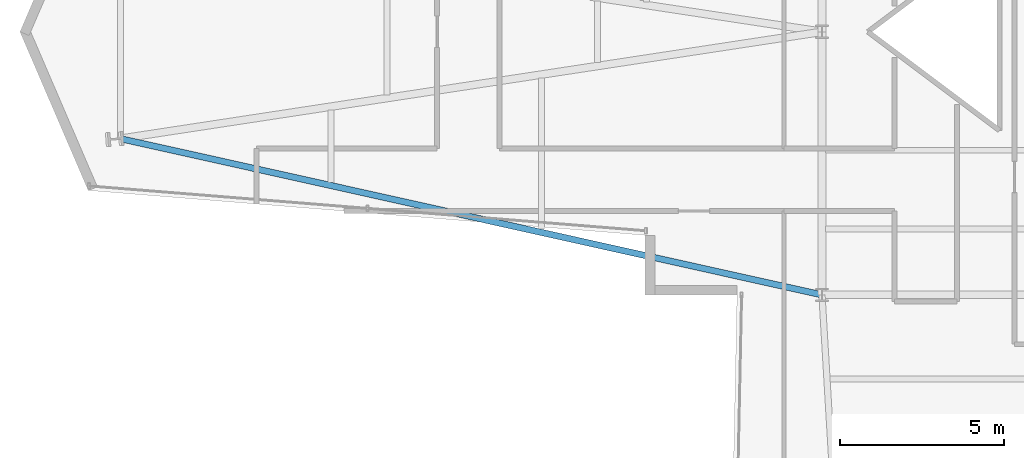
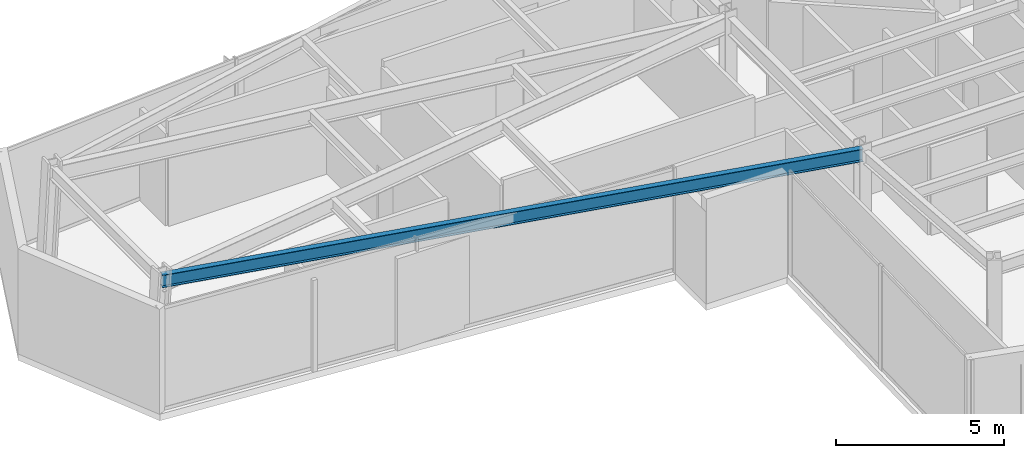
# One storey, part 3 of 24: 1 beam.
"""IFC4 building model written with IfcOpenShell, lengths in metres."""

from ifc_helpers import new_model, si_unit, direction, frame, origin, origin_2d, place, context, subcontext, project, spatial, i_section, extrude, material, material_profile, profile_set, type_object, element, save


model = new_model("IFC4")

# Units and contexts
model_context = context("Model", 3, precision=1e-05, world=origin(), true_north=direction((0.0, 1.0)))
body_context = subcontext(model_context, "Body", "Model", "MODEL_VIEW")
ifc_project = project(units=[si_unit("LENGTHUNIT", "METRE"), si_unit("AREAUNIT", "SQUARE_METRE"), si_unit("VOLUMEUNIT", "CUBIC_METRE"), si_unit("PLANEANGLEUNIT", "RADIAN"), si_unit("MASSUNIT", "GRAM", prefix="KILO")], contexts=[model_context])

# Site, building, storey
site_placement = place(None, origin())
site = spatial("IfcSite", under=ifc_project, at=site_placement, CompositionType="ELEMENT")
building_placement = place(site_placement, origin())
building = spatial("IfcBuilding", under=site, at=building_placement, Name="Veymaron Broadcast Tower", CompositionType="ELEMENT")
storey_placement = place(building_placement, frame((0.0, 0.0, 98.550048828125)))
storey = spatial("IfcBuildingStorey", under=building, at=storey_placement, Name="L22", CompositionType="ELEMENT", Elevation=98.550048828125)

# Beam
ifc_material = material(Name="Structural steel ASTM A992 Gr 50", Category="steel")
ifc_material_profile = material_profile(ifc_material, i_section(OverallWidth=0.19091796875, OverallDepth=0.4599609375, WebThickness=0.010009765625, FlangeThickness=0.01611328125, at=origin_2d()), Name="W460X82")
ifc_profile_set = profile_set([ifc_material_profile], Name="Structural steel ASTM A992 Gr 50")
beam_type = type_object("IfcBeamType", Name="BM-SP1", PredefinedType="SPANDREL", material=ifc_profile_set)
beam_placement = place(storey_placement, frame((9.8701171875, 20.75, 3.579833984375), z_axis=(0.976089697395, -0.21736812701, 0.0), x_axis=(0.21736812701, 0.976089697395, 0.0)))
element("IfcBeam", 1, at=beam_placement, inside=storey, type_object=beam_type, Name="L22 primary structural floor girder", PredefinedType="SPANDREL", context=body_context, shape_type="SweptSolid", body=[
    extrude(i_section(OverallWidth=0.19091796875, OverallDepth=0.4599609375, WebThickness=0.010009765625, FlangeThickness=0.01611328125, at=origin_2d()), origin(), (0.0, 0.0, 1.0), 21.852294921875),
])

save(model, "model.ifc")
